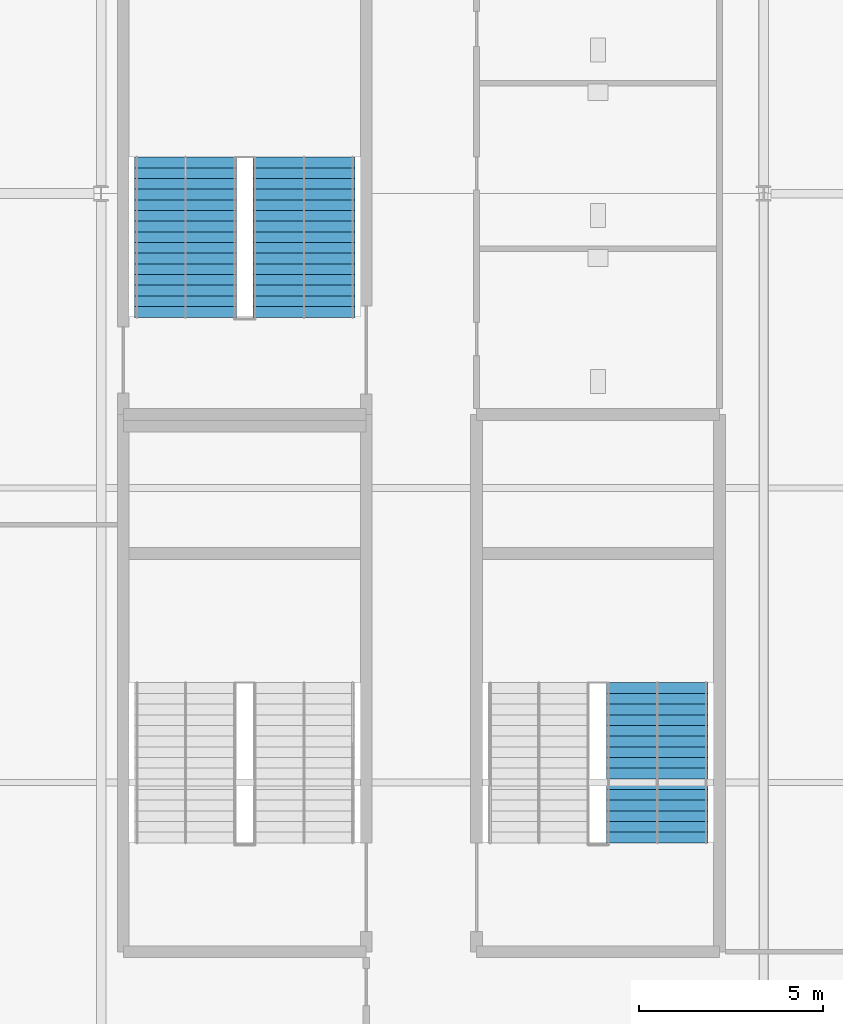
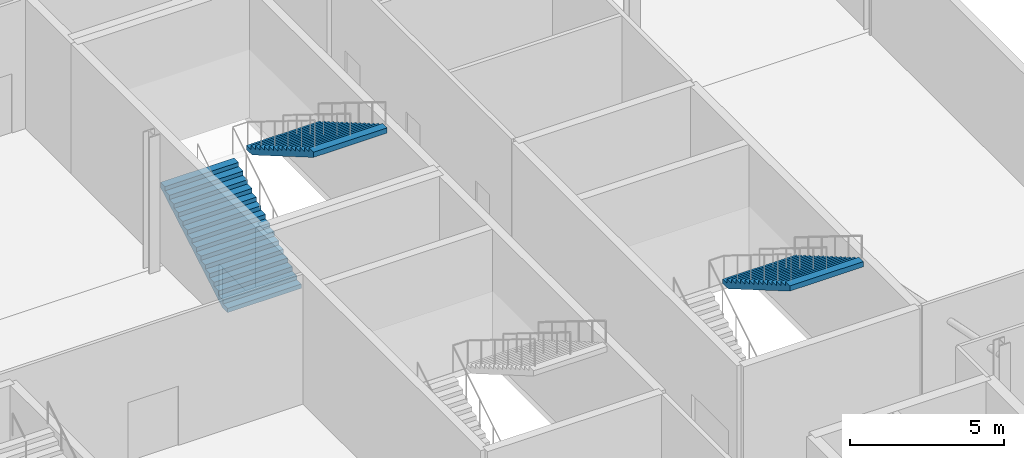
# One storey, part 92 of 111: 3 stair flights, 2 elements without a shape of their own.
"""IFC4 building model written with IfcOpenShell, lengths in metres."""

from ifc_helpers import new_model, si_unit, direction, frame, origin, place, context, subcontext, project, spatial, polygons, material, type_object, element, aggregate, save


model = new_model("IFC4")

# Units and contexts
model_context = context("Model", 3, precision=1e-05, world=origin(), true_north=direction((0.0, 1.0)))
body_context = subcontext(model_context, "Body", "Model", "MODEL_VIEW")
ifc_project = project(units=[si_unit("LENGTHUNIT", "METRE"), si_unit("AREAUNIT", "SQUARE_METRE"), si_unit("VOLUMEUNIT", "CUBIC_METRE"), si_unit("PLANEANGLEUNIT", "RADIAN"), si_unit("MASSUNIT", "GRAM", prefix="KILO")], contexts=[model_context])

# Site, building, storey
site_placement = place(None, origin())
site = spatial("IfcSite", under=ifc_project, at=site_placement, CompositionType="ELEMENT")
building_placement = place(site_placement, origin())
building = spatial("IfcBuilding", under=site, at=building_placement, Name="Kisiwana Market Hall", CompositionType="ELEMENT")
storey_placement = place(building_placement, frame((0.0, 0.0, 11.39990234375)))
storey = spatial("IfcBuildingStorey", under=building, at=storey_placement, Name="L02", CompositionType="ELEMENT", Elevation=11.39990234375)

# Stair, stair flight
ifc_material_1 = material(Name="Concrete C32/40", Category="concrete")
stair_type = type_object("IfcStairType", Name="ST-ESC-5400", PredefinedType="TWO_STRAIGHT_RUN_STAIR", material=ifc_material_1)
stair_1_placement = place(storey_placement, origin())
stair_1 = element("IfcStair", 1, at=stair_1_placement, inside=storey, type_object=stair_type, Name="Escape stair ST-E3-L02", PredefinedType="TWO_STRAIGHT_RUN_STAIR")
ifc_material_2 = material(Name="Concrete C32/40", Category="concrete")
stair_flight_type = type_object("IfcStairFlightType", Name="SF-ESC-5400", PredefinedType="STRAIGHT", material=ifc_material_2)
stair_flight_1_placement = place(storey_placement, frame((186.110107421875, 46.7099609375, 2.7001953125), z_axis=(0.0, 0.0, 1.0), x_axis=(0.0, -1.0, 0.0)))
stair_flight_1 = element("IfcStairFlight", 2, at=stair_flight_1_placement, type_object=stair_flight_type, Name="ST-E3-L02 flight 2", NumberOfRisers=16, NumberOfTreads=15, PredefinedType="STRAIGHT", RiserHeight=0.16875, TreadLength=0.29, context=body_context, shape_type="Tessellation", body=[
    polygons([(0.0, -1.380127, 0.0), (0.0, -0.690125, 0.0), (0.0, -0.000122, 0.0), (0.0, 0.68988, 0.0), (0.0, 1.379883, 0.0), (0.0, -1.380127, 0.168701), (0.0, -0.690125, 0.168701), (0.0, -0.000122, 0.168701), (0.0, 0.68988, 0.168701), (0.0, 1.379883, 0.168701), (0.290039, -1.380127, 0.168701), (0.290039, -0.690125, 0.168701), (0.290039, -0.000122, 0.168701), (0.290039, 0.68988, 0.168701), (0.290039, 1.379883, 0.168701), (0.290039, -1.380127, 0.337402), (0.290039, -0.690125, 0.337402), (0.290039, -0.000122, 0.337402), (0.290039, 0.68988, 0.337402), (0.290039, 1.379883, 0.337402), (0.580078, -1.380127, 0.337402), (0.580078, -0.690125, 0.337402), (0.580078, -0.000122, 0.337402), (0.580078, 0.68988, 0.337402), (0.580078, 1.379883, 0.337402), (0.580078, -1.380127, 0.506348), (0.580078, -0.690125, 0.506348), (0.580078, -0.000122, 0.506348), (0.580078, 0.68988, 0.506348), (0.580078, 1.379883, 0.506348), (0.870117, -1.380127, 0.506348), (0.870117, -0.690125, 0.506348), (0.870117, -0.000122, 0.506348), (0.870117, 0.68988, 0.506348), (0.870117, 1.379883, 0.506348), (0.870117, -1.380127, 0.675049), (0.870117, -0.690125, 0.675049), (0.870117, -0.000122, 0.675049), (0.870117, 0.68988, 0.675049), (0.870117, 1.379883, 0.675049), (1.159912, -1.380127, 0.675049), (1.159912, -0.690125, 0.675049), (1.159912, -0.000122, 0.675049), (1.159912, 0.68988, 0.675049), (1.159912, 1.379883, 0.675049), (1.159912, -1.380127, 0.84375), (1.159912, -0.690125, 0.84375), (1.159912, -0.000122, 0.84375), (1.159912, 0.68988, 0.84375), (1.159912, 1.379883, 0.84375), (1.449951, -1.380127, 0.84375), (1.449951, -0.690125, 0.84375), (1.449951, -0.000122, 0.84375), (1.449951, 0.68988, 0.84375), (1.449951, 1.379883, 0.84375), (1.449951, -1.380127, 1.012451), (1.449951, -0.690125, 1.012451), (1.449951, -0.000122, 1.012451), (1.449951, 0.68988, 1.012451), (1.449951, 1.379883, 1.012451), (1.73999, -1.380127, 1.012451), (1.73999, -0.690125, 1.012451), (1.73999, -0.000122, 1.012451), (1.73999, 0.68988, 1.012451), (1.73999, 1.379883, 1.012451), (1.73999, -1.380127, 1.181152), (1.73999, -0.690125, 1.181152), (1.73999, -0.000122, 1.181152), (1.73999, 0.68988, 1.181152), (1.73999, 1.379883, 1.181152), (2.030029, -1.380127, 1.181152), (2.030029, -0.690125, 1.181152), (2.030029, -0.000122, 1.181152), (2.030029, 0.68988, 1.181152), (2.030029, 1.379883, 1.181152), (2.030029, -1.380127, 1.350098), (2.030029, -0.690125, 1.350098), (2.030029, -0.000122, 1.350098), (2.030029, 0.68988, 1.350098), (2.030029, 1.379883, 1.350098), (2.320068, -1.380127, 1.350098), (2.320068, -0.690125, 1.350098), (2.320068, -0.000122, 1.350098), (2.320068, 0.68988, 1.350098), (2.320068, 1.379883, 1.350098), (2.320068, -1.380127, 1.518799), (2.320068, -0.690125, 1.518799), (2.320068, -0.000122, 1.518799), (2.320068, 0.68988, 1.518799), (2.320068, 1.379883, 1.518799), (2.610107, -1.380127, 1.518799), (2.610107, -0.690125, 1.518799), (2.610107, -0.000122, 1.518799), (2.610107, 0.68988, 1.518799), (2.610107, 1.379883, 1.518799), (2.610107, -1.380127, 1.6875), (2.610107, -0.690125, 1.6875), (2.610107, -0.000122, 1.6875), (2.610107, 0.68988, 1.6875), (2.610107, 1.379883, 1.6875), (2.899902, -1.380127, 1.6875), (2.899902, -0.690125, 1.6875), (2.899902, -0.000122, 1.6875), (2.899902, 0.68988, 1.6875), (2.899902, 1.379883, 1.6875), (2.899902, -1.380127, 1.856201), (2.899902, -0.690125, 1.856201), (2.899902, -0.000122, 1.856201), (2.899902, 0.68988, 1.856201), (2.899902, 1.379883, 1.856201), (3.189941, -1.380127, 1.856201), (3.189941, -0.690125, 1.856201), (3.189941, -0.000122, 1.856201), (3.189941, 0.68988, 1.856201), (3.189941, 1.379883, 1.856201), (3.189941, -1.380127, 2.024902), (3.189941, -0.690125, 2.024902), (3.189941, -0.000122, 2.024902), (3.189941, 0.68988, 2.024902), (3.189941, 1.379883, 2.024902), (3.47998, -1.380127, 2.024902), (3.47998, -0.690125, 2.024902), (3.47998, -0.000122, 2.024902), (3.47998, 0.68988, 2.024902), (3.47998, 1.379883, 2.024902), (3.47998, -1.380127, 2.193848), (3.47998, -0.690125, 2.193848), (3.47998, -0.000122, 2.193848), (3.47998, 0.68988, 2.193848), (3.47998, 1.379883, 2.193848), (3.77002, -1.380127, 2.193848), (3.77002, -0.690125, 2.193848), (3.77002, -0.000122, 2.193848), (3.77002, 0.68988, 2.193848), (3.77002, 1.379883, 2.193848), (3.77002, -1.380127, 2.362549), (3.77002, -0.690125, 2.362549), (3.77002, -0.000122, 2.362549), (3.77002, 0.68988, 2.362549), (3.77002, 1.379883, 2.362549), (4.060059, -1.380127, 2.362549), (4.060059, -0.690125, 2.362549), (4.060059, -0.000122, 2.362549), (4.060059, 0.68988, 2.362549), (4.060059, 1.379883, 2.362549), (4.060059, -1.380127, 2.53125), (4.060059, -0.690125, 2.53125), (4.060059, -0.000122, 2.53125), (4.060059, 0.68988, 2.53125), (4.060059, 1.379883, 2.53125), (4.350098, -1.380127, 2.53125), (4.350098, -0.690125, 2.53125), (4.350098, -0.000122, 2.53125), (4.350098, 0.68988, 2.53125), (4.350098, 1.379883, 2.53125), (4.350098, -1.380127, 2.322998), (4.350098, -0.690125, 2.322998), (4.350098, -0.000122, 2.322998), (4.350098, 0.68988, 2.322998), (4.350098, 1.379883, 2.322998), (0.357666, -1.380127, 0.0), (0.357666, -0.690125, 0.0), (0.357666, -0.000122, 0.0), (0.357666, 0.68988, 0.0), (0.357666, 1.379883, 0.0)], [[[1, 6, 7, 2]], [[2, 7, 8, 3]], [[3, 8, 9, 4]], [[4, 9, 10, 5]], [[6, 11, 12, 7]], [[7, 12, 13, 8]], [[8, 13, 14, 9]], [[9, 14, 15, 10]], [[11, 16, 17, 12]], [[12, 17, 18, 13]], [[13, 18, 19, 14]], [[14, 19, 20, 15]], [[16, 21, 22, 17]], [[17, 22, 23, 18]], [[18, 23, 24, 19]], [[19, 24, 25, 20]], [[21, 26, 27, 22]], [[22, 27, 28, 23]], [[23, 28, 29, 24]], [[24, 29, 30, 25]], [[26, 31, 32, 27]], [[27, 32, 33, 28]], [[28, 33, 34, 29]], [[29, 34, 35, 30]], [[31, 36, 37, 32]], [[32, 37, 38, 33]], [[33, 38, 39, 34]], [[34, 39, 40, 35]], [[36, 41, 42, 37]], [[37, 42, 43, 38]], [[38, 43, 44, 39]], [[39, 44, 45, 40]], [[41, 46, 47, 42]], [[42, 47, 48, 43]], [[43, 48, 49, 44]], [[44, 49, 50, 45]], [[46, 51, 52, 47]], [[47, 52, 53, 48]], [[48, 53, 54, 49]], [[49, 54, 55, 50]], [[51, 56, 57, 52]], [[52, 57, 58, 53]], [[53, 58, 59, 54]], [[54, 59, 60, 55]], [[56, 61, 62, 57]], [[57, 62, 63, 58]], [[58, 63, 64, 59]], [[59, 64, 65, 60]], [[61, 66, 67, 62]], [[62, 67, 68, 63]], [[63, 68, 69, 64]], [[64, 69, 70, 65]], [[66, 71, 72, 67]], [[67, 72, 73, 68]], [[68, 73, 74, 69]], [[69, 74, 75, 70]], [[71, 76, 77, 72]], [[72, 77, 78, 73]], [[73, 78, 79, 74]], [[74, 79, 80, 75]], [[76, 81, 82, 77]], [[77, 82, 83, 78]], [[78, 83, 84, 79]], [[79, 84, 85, 80]], [[81, 86, 87, 82]], [[82, 87, 88, 83]], [[83, 88, 89, 84]], [[84, 89, 90, 85]], [[86, 91, 92, 87]], [[87, 92, 93, 88]], [[88, 93, 94, 89]], [[89, 94, 95, 90]], [[91, 96, 97, 92]], [[92, 97, 98, 93]], [[93, 98, 99, 94]], [[94, 99, 100, 95]], [[96, 101, 102, 97]], [[97, 102, 103, 98]], [[98, 103, 104, 99]], [[99, 104, 105, 100]], [[101, 106, 107, 102]], [[102, 107, 108, 103]], [[103, 108, 109, 104]], [[104, 109, 110, 105]], [[106, 111, 112, 107]], [[107, 112, 113, 108]], [[108, 113, 114, 109]], [[109, 114, 115, 110]], [[111, 116, 117, 112]], [[112, 117, 118, 113]], [[113, 118, 119, 114]], [[114, 119, 120, 115]], [[116, 121, 122, 117]], [[117, 122, 123, 118]], [[118, 123, 124, 119]], [[119, 124, 125, 120]], [[121, 126, 127, 122]], [[122, 127, 128, 123]], [[123, 128, 129, 124]], [[124, 129, 130, 125]], [[126, 131, 132, 127]], [[127, 132, 133, 128]], [[128, 133, 134, 129]], [[129, 134, 135, 130]], [[131, 136, 137, 132]], [[132, 137, 138, 133]], [[133, 138, 139, 134]], [[134, 139, 140, 135]], [[136, 141, 142, 137]], [[137, 142, 143, 138]], [[138, 143, 144, 139]], [[139, 144, 145, 140]], [[141, 146, 147, 142]], [[142, 147, 148, 143]], [[143, 148, 149, 144]], [[144, 149, 150, 145]], [[146, 151, 152, 147]], [[147, 152, 153, 148]], [[148, 153, 154, 149]], [[149, 154, 155, 150]], [[151, 156, 157, 152]], [[152, 157, 158, 153]], [[153, 158, 159, 154]], [[154, 159, 160, 155]], [[156, 161, 162, 157]], [[157, 162, 163, 158]], [[158, 163, 164, 159]], [[159, 164, 165, 160]], [[161, 1, 2, 162]], [[162, 2, 3, 163]], [[163, 3, 4, 164]], [[164, 4, 5, 165]], [[161, 156, 151, 146, 141, 136, 131, 126, 121, 116, 111, 106, 101, 96, 91, 86, 81, 76, 71, 66, 61, 56, 51, 46, 41, 36, 31, 26, 21, 16, 11, 6, 1]], [[5, 10, 15, 20, 25, 30, 35, 40, 45, 50, 55, 60, 65, 70, 75, 80, 85, 90, 95, 100, 105, 110, 115, 120, 125, 130, 135, 140, 145, 150, 155, 160, 165]]], closed=True),
])
aggregate(stair_1, [stair_flight_1])

# Stair, stair flights
stair_2_placement = place(storey_placement, origin())
stair_2 = element("IfcStair", 3, at=stair_2_placement, inside=storey, type_object=stair_type, Name="Escape stair ST-E5-L02", PredefinedType="TWO_STRAIGHT_RUN_STAIR")
stair_flight_2_placement = place(storey_placement, frame((173.2900390625, 56.639892578125, 0.0), z_axis=(0.0, 0.0, 1.0), x_axis=(0.0, 1.0, 0.0)))
stair_flight_2 = element("IfcStairFlight", 4, at=stair_flight_2_placement, type_object=stair_flight_type, Name="ST-E5-L02 flight 1", NumberOfRisers=16, NumberOfTreads=15, PredefinedType="STRAIGHT", RiserHeight=0.16875, TreadLength=0.29, context=body_context, shape_type="Tessellation", body=[
    polygons([(0.0, -1.380127, 0.0), (0.0, -0.690125, 0.0), (0.0, -0.000122, 0.0), (0.0, 0.68988, 0.0), (0.0, 1.379883, 0.0), (0.0, -1.380127, 0.168701), (0.0, -0.690125, 0.168701), (0.0, -0.000122, 0.168701), (0.0, 0.68988, 0.168701), (0.0, 1.379883, 0.168701), (0.290039, -1.380127, 0.168701), (0.290039, -0.690125, 0.168701), (0.290039, -0.000122, 0.168701), (0.290039, 0.68988, 0.168701), (0.290039, 1.379883, 0.168701), (0.290039, -1.380127, 0.337402), (0.290039, -0.690125, 0.337402), (0.290039, -0.000122, 0.337402), (0.290039, 0.68988, 0.337402), (0.290039, 1.379883, 0.337402), (0.580078, -1.380127, 0.337402), (0.580078, -0.690125, 0.337402), (0.580078, -0.000122, 0.337402), (0.580078, 0.68988, 0.337402), (0.580078, 1.379883, 0.337402), (0.580078, -1.380127, 0.506348), (0.580078, -0.690125, 0.506348), (0.580078, -0.000122, 0.506348), (0.580078, 0.68988, 0.506348), (0.580078, 1.379883, 0.506348), (0.870117, -1.380127, 0.506348), (0.870117, -0.690125, 0.506348), (0.870117, -0.000122, 0.506348), (0.870117, 0.68988, 0.506348), (0.870117, 1.379883, 0.506348), (0.870117, -1.380127, 0.675049), (0.870117, -0.690125, 0.675049), (0.870117, -0.000122, 0.675049), (0.870117, 0.68988, 0.675049), (0.870117, 1.379883, 0.675049), (1.159912, -1.380127, 0.675049), (1.159912, -0.690125, 0.675049), (1.159912, -0.000122, 0.675049), (1.159912, 0.68988, 0.675049), (1.159912, 1.379883, 0.675049), (1.159912, -1.380127, 0.84375), (1.159912, -0.690125, 0.84375), (1.159912, -0.000122, 0.84375), (1.159912, 0.68988, 0.84375), (1.159912, 1.379883, 0.84375), (1.449951, -1.380127, 0.84375), (1.449951, -0.690125, 0.84375), (1.449951, -0.000122, 0.84375), (1.449951, 0.68988, 0.84375), (1.449951, 1.379883, 0.84375), (1.449951, -1.380127, 1.012451), (1.449951, -0.690125, 1.012451), (1.449951, -0.000122, 1.012451), (1.449951, 0.68988, 1.012451), (1.449951, 1.379883, 1.012451), (1.73999, -1.380127, 1.012451), (1.73999, -0.690125, 1.012451), (1.73999, -0.000122, 1.012451), (1.73999, 0.68988, 1.012451), (1.73999, 1.379883, 1.012451), (1.73999, -1.380127, 1.181152), (1.73999, -0.690125, 1.181152), (1.73999, -0.000122, 1.181152), (1.73999, 0.68988, 1.181152), (1.73999, 1.379883, 1.181152), (2.030029, -1.380127, 1.181152), (2.030029, -0.690125, 1.181152), (2.030029, -0.000122, 1.181152), (2.030029, 0.68988, 1.181152), (2.030029, 1.379883, 1.181152), (2.030029, -1.380127, 1.350098), (2.030029, -0.690125, 1.350098), (2.030029, -0.000122, 1.350098), (2.030029, 0.68988, 1.350098), (2.030029, 1.379883, 1.350098), (2.320068, -1.380127, 1.350098), (2.320068, -0.690125, 1.350098), (2.320068, -0.000122, 1.350098), (2.320068, 0.68988, 1.350098), (2.320068, 1.379883, 1.350098), (2.320068, -1.380127, 1.518799), (2.320068, -0.690125, 1.518799), (2.320068, -0.000122, 1.518799), (2.320068, 0.68988, 1.518799), (2.320068, 1.379883, 1.518799), (2.610107, -1.380127, 1.518799), (2.610107, -0.690125, 1.518799), (2.610107, -0.000122, 1.518799), (2.610107, 0.68988, 1.518799), (2.610107, 1.379883, 1.518799), (2.610107, -1.380127, 1.6875), (2.610107, -0.690125, 1.6875), (2.610107, -0.000122, 1.6875), (2.610107, 0.68988, 1.6875), (2.610107, 1.379883, 1.6875), (2.899902, -1.380127, 1.6875), (2.899902, -0.690125, 1.6875), (2.899902, -0.000122, 1.6875), (2.899902, 0.68988, 1.6875), (2.899902, 1.379883, 1.6875), (2.899902, -1.380127, 1.856201), (2.899902, -0.690125, 1.856201), (2.899902, -0.000122, 1.856201), (2.899902, 0.68988, 1.856201), (2.899902, 1.379883, 1.856201), (3.189941, -1.380127, 1.856201), (3.189941, -0.690125, 1.856201), (3.189941, -0.000122, 1.856201), (3.189941, 0.68988, 1.856201), (3.189941, 1.379883, 1.856201), (3.189941, -1.380127, 2.024902), (3.189941, -0.690125, 2.024902), (3.189941, -0.000122, 2.024902), (3.189941, 0.68988, 2.024902), (3.189941, 1.379883, 2.024902), (3.47998, -1.380127, 2.024902), (3.47998, -0.690125, 2.024902), (3.47998, -0.000122, 2.024902), (3.47998, 0.68988, 2.024902), (3.47998, 1.379883, 2.024902), (3.47998, -1.380127, 2.193848), (3.47998, -0.690125, 2.193848), (3.47998, -0.000122, 2.193848), (3.47998, 0.68988, 2.193848), (3.47998, 1.379883, 2.193848), (3.77002, -1.380127, 2.193848), (3.77002, -0.690125, 2.193848), (3.77002, -0.000122, 2.193848), (3.77002, 0.68988, 2.193848), (3.77002, 1.379883, 2.193848), (3.77002, -1.380127, 2.362549), (3.77002, -0.690125, 2.362549), (3.77002, -0.000122, 2.362549), (3.77002, 0.68988, 2.362549), (3.77002, 1.379883, 2.362549), (4.060059, -1.380127, 2.362549), (4.060059, -0.690125, 2.362549), (4.060059, -0.000122, 2.362549), (4.060059, 0.68988, 2.362549), (4.060059, 1.379883, 2.362549), (4.060059, -1.380127, 2.53125), (4.060059, -0.690125, 2.53125), (4.060059, -0.000122, 2.53125), (4.060059, 0.68988, 2.53125), (4.060059, 1.379883, 2.53125), (4.350098, -1.380127, 2.53125), (4.350098, -0.690125, 2.53125), (4.350098, -0.000122, 2.53125), (4.350098, 0.68988, 2.53125), (4.350098, 1.379883, 2.53125), (4.350098, -1.380127, 2.322998), (4.350098, -0.690125, 2.322998), (4.350098, -0.000122, 2.322998), (4.350098, 0.68988, 2.322998), (4.350098, 1.379883, 2.322998), (0.357666, -1.380127, 0.0), (0.357666, -0.690125, 0.0), (0.357666, -0.000122, 0.0), (0.357666, 0.68988, 0.0), (0.357666, 1.379883, 0.0)], [[[1, 6, 7, 2]], [[2, 7, 8, 3]], [[3, 8, 9, 4]], [[4, 9, 10, 5]], [[6, 11, 12, 7]], [[7, 12, 13, 8]], [[8, 13, 14, 9]], [[9, 14, 15, 10]], [[11, 16, 17, 12]], [[12, 17, 18, 13]], [[13, 18, 19, 14]], [[14, 19, 20, 15]], [[16, 21, 22, 17]], [[17, 22, 23, 18]], [[18, 23, 24, 19]], [[19, 24, 25, 20]], [[21, 26, 27, 22]], [[22, 27, 28, 23]], [[23, 28, 29, 24]], [[24, 29, 30, 25]], [[26, 31, 32, 27]], [[27, 32, 33, 28]], [[28, 33, 34, 29]], [[29, 34, 35, 30]], [[31, 36, 37, 32]], [[32, 37, 38, 33]], [[33, 38, 39, 34]], [[34, 39, 40, 35]], [[36, 41, 42, 37]], [[37, 42, 43, 38]], [[38, 43, 44, 39]], [[39, 44, 45, 40]], [[41, 46, 47, 42]], [[42, 47, 48, 43]], [[43, 48, 49, 44]], [[44, 49, 50, 45]], [[46, 51, 52, 47]], [[47, 52, 53, 48]], [[48, 53, 54, 49]], [[49, 54, 55, 50]], [[51, 56, 57, 52]], [[52, 57, 58, 53]], [[53, 58, 59, 54]], [[54, 59, 60, 55]], [[56, 61, 62, 57]], [[57, 62, 63, 58]], [[58, 63, 64, 59]], [[59, 64, 65, 60]], [[61, 66, 67, 62]], [[62, 67, 68, 63]], [[63, 68, 69, 64]], [[64, 69, 70, 65]], [[66, 71, 72, 67]], [[67, 72, 73, 68]], [[68, 73, 74, 69]], [[69, 74, 75, 70]], [[71, 76, 77, 72]], [[72, 77, 78, 73]], [[73, 78, 79, 74]], [[74, 79, 80, 75]], [[76, 81, 82, 77]], [[77, 82, 83, 78]], [[78, 83, 84, 79]], [[79, 84, 85, 80]], [[81, 86, 87, 82]], [[82, 87, 88, 83]], [[83, 88, 89, 84]], [[84, 89, 90, 85]], [[86, 91, 92, 87]], [[87, 92, 93, 88]], [[88, 93, 94, 89]], [[89, 94, 95, 90]], [[91, 96, 97, 92]], [[92, 97, 98, 93]], [[93, 98, 99, 94]], [[94, 99, 100, 95]], [[96, 101, 102, 97]], [[97, 102, 103, 98]], [[98, 103, 104, 99]], [[99, 104, 105, 100]], [[101, 106, 107, 102]], [[102, 107, 108, 103]], [[103, 108, 109, 104]], [[104, 109, 110, 105]], [[106, 111, 112, 107]], [[107, 112, 113, 108]], [[108, 113, 114, 109]], [[109, 114, 115, 110]], [[111, 116, 117, 112]], [[112, 117, 118, 113]], [[113, 118, 119, 114]], [[114, 119, 120, 115]], [[116, 121, 122, 117]], [[117, 122, 123, 118]], [[118, 123, 124, 119]], [[119, 124, 125, 120]], [[121, 126, 127, 122]], [[122, 127, 128, 123]], [[123, 128, 129, 124]], [[124, 129, 130, 125]], [[126, 131, 132, 127]], [[127, 132, 133, 128]], [[128, 133, 134, 129]], [[129, 134, 135, 130]], [[131, 136, 137, 132]], [[132, 137, 138, 133]], [[133, 138, 139, 134]], [[134, 139, 140, 135]], [[136, 141, 142, 137]], [[137, 142, 143, 138]], [[138, 143, 144, 139]], [[139, 144, 145, 140]], [[141, 146, 147, 142]], [[142, 147, 148, 143]], [[143, 148, 149, 144]], [[144, 149, 150, 145]], [[146, 151, 152, 147]], [[147, 152, 153, 148]], [[148, 153, 154, 149]], [[149, 154, 155, 150]], [[151, 156, 157, 152]], [[152, 157, 158, 153]], [[153, 158, 159, 154]], [[154, 159, 160, 155]], [[156, 161, 162, 157]], [[157, 162, 163, 158]], [[158, 163, 164, 159]], [[159, 164, 165, 160]], [[161, 1, 2, 162]], [[162, 2, 3, 163]], [[163, 3, 4, 164]], [[164, 4, 5, 165]], [[161, 156, 151, 146, 141, 136, 131, 126, 121, 116, 111, 106, 101, 96, 91, 86, 81, 76, 71, 66, 61, 56, 51, 46, 41, 36, 31, 26, 21, 16, 11, 6, 1]], [[5, 10, 15, 20, 25, 30, 35, 40, 45, 50, 55, 60, 65, 70, 75, 80, 85, 90, 95, 100, 105, 110, 115, 120, 125, 130, 135, 140, 145, 150, 155, 160, 165]]], closed=True),
])
stair_flight_3_placement = place(storey_placement, frame((176.510009765625, 60.989990234375, 2.7001953125), z_axis=(0.0, 0.0, 1.0), x_axis=(0.0, -1.0, 0.0)))
stair_flight_3 = element("IfcStairFlight", 5, at=stair_flight_3_placement, type_object=stair_flight_type, Name="ST-E5-L02 flight 2", NumberOfRisers=16, NumberOfTreads=15, PredefinedType="STRAIGHT", RiserHeight=0.16875, TreadLength=0.29, context=body_context, shape_type="Tessellation", body=[
    polygons([(0.0, -1.380127, 0.0), (0.0, -0.690125, 0.0), (0.0, -0.000122, 0.0), (0.0, 0.68988, 0.0), (0.0, 1.379883, 0.0), (0.0, -1.380127, 0.168701), (0.0, -0.690125, 0.168701), (0.0, -0.000122, 0.168701), (0.0, 0.68988, 0.168701), (0.0, 1.379883, 0.168701), (0.290039, -1.380127, 0.168701), (0.290039, -0.690125, 0.168701), (0.290039, -0.000122, 0.168701), (0.290039, 0.68988, 0.168701), (0.290039, 1.379883, 0.168701), (0.290039, -1.380127, 0.337402), (0.290039, -0.690125, 0.337402), (0.290039, -0.000122, 0.337402), (0.290039, 0.68988, 0.337402), (0.290039, 1.379883, 0.337402), (0.580078, -1.380127, 0.337402), (0.580078, -0.690125, 0.337402), (0.580078, -0.000122, 0.337402), (0.580078, 0.68988, 0.337402), (0.580078, 1.379883, 0.337402), (0.580078, -1.380127, 0.506348), (0.580078, -0.690125, 0.506348), (0.580078, -0.000122, 0.506348), (0.580078, 0.68988, 0.506348), (0.580078, 1.379883, 0.506348), (0.870117, -1.380127, 0.506348), (0.870117, -0.690125, 0.506348), (0.870117, -0.000122, 0.506348), (0.870117, 0.68988, 0.506348), (0.870117, 1.379883, 0.506348), (0.870117, -1.380127, 0.675049), (0.870117, -0.690125, 0.675049), (0.870117, -0.000122, 0.675049), (0.870117, 0.68988, 0.675049), (0.870117, 1.379883, 0.675049), (1.159912, -1.380127, 0.675049), (1.159912, -0.690125, 0.675049), (1.159912, -0.000122, 0.675049), (1.159912, 0.68988, 0.675049), (1.159912, 1.379883, 0.675049), (1.159912, -1.380127, 0.84375), (1.159912, -0.690125, 0.84375), (1.159912, -0.000122, 0.84375), (1.159912, 0.68988, 0.84375), (1.159912, 1.379883, 0.84375), (1.449951, -1.380127, 0.84375), (1.449951, -0.690125, 0.84375), (1.449951, -0.000122, 0.84375), (1.449951, 0.68988, 0.84375), (1.449951, 1.379883, 0.84375), (1.449951, -1.380127, 1.012451), (1.449951, -0.690125, 1.012451), (1.449951, -0.000122, 1.012451), (1.449951, 0.68988, 1.012451), (1.449951, 1.379883, 1.012451), (1.73999, -1.380127, 1.012451), (1.73999, -0.690125, 1.012451), (1.73999, -0.000122, 1.012451), (1.73999, 0.68988, 1.012451), (1.73999, 1.379883, 1.012451), (1.73999, -1.380127, 1.181152), (1.73999, -0.690125, 1.181152), (1.73999, -0.000122, 1.181152), (1.73999, 0.68988, 1.181152), (1.73999, 1.379883, 1.181152), (2.030029, -1.380127, 1.181152), (2.030029, -0.690125, 1.181152), (2.030029, -0.000122, 1.181152), (2.030029, 0.68988, 1.181152), (2.030029, 1.379883, 1.181152), (2.030029, -1.380127, 1.350098), (2.030029, -0.690125, 1.350098), (2.030029, -0.000122, 1.350098), (2.030029, 0.68988, 1.350098), (2.030029, 1.379883, 1.350098), (2.320068, -1.380127, 1.350098), (2.320068, -0.690125, 1.350098), (2.320068, -0.000122, 1.350098), (2.320068, 0.68988, 1.350098), (2.320068, 1.379883, 1.350098), (2.320068, -1.380127, 1.518799), (2.320068, -0.690125, 1.518799), (2.320068, -0.000122, 1.518799), (2.320068, 0.68988, 1.518799), (2.320068, 1.379883, 1.518799), (2.610107, -1.380127, 1.518799), (2.610107, -0.690125, 1.518799), (2.610107, -0.000122, 1.518799), (2.610107, 0.68988, 1.518799), (2.610107, 1.379883, 1.518799), (2.610107, -1.380127, 1.6875), (2.610107, -0.690125, 1.6875), (2.610107, -0.000122, 1.6875), (2.610107, 0.68988, 1.6875), (2.610107, 1.379883, 1.6875), (2.899902, -1.380127, 1.6875), (2.899902, -0.690125, 1.6875), (2.899902, -0.000122, 1.6875), (2.899902, 0.68988, 1.6875), (2.899902, 1.379883, 1.6875), (2.899902, -1.380127, 1.856201), (2.899902, -0.690125, 1.856201), (2.899902, -0.000122, 1.856201), (2.899902, 0.68988, 1.856201), (2.899902, 1.379883, 1.856201), (3.189941, -1.380127, 1.856201), (3.189941, -0.690125, 1.856201), (3.189941, -0.000122, 1.856201), (3.189941, 0.68988, 1.856201), (3.189941, 1.379883, 1.856201), (3.189941, -1.380127, 2.024902), (3.189941, -0.690125, 2.024902), (3.189941, -0.000122, 2.024902), (3.189941, 0.68988, 2.024902), (3.189941, 1.379883, 2.024902), (3.47998, -1.380127, 2.024902), (3.47998, -0.690125, 2.024902), (3.47998, -0.000122, 2.024902), (3.47998, 0.68988, 2.024902), (3.47998, 1.379883, 2.024902), (3.47998, -1.380127, 2.193848), (3.47998, -0.690125, 2.193848), (3.47998, -0.000122, 2.193848), (3.47998, 0.68988, 2.193848), (3.47998, 1.379883, 2.193848), (3.77002, -1.380127, 2.193848), (3.77002, -0.690125, 2.193848), (3.77002, -0.000122, 2.193848), (3.77002, 0.68988, 2.193848), (3.77002, 1.379883, 2.193848), (3.77002, -1.380127, 2.362549), (3.77002, -0.690125, 2.362549), (3.77002, -0.000122, 2.362549), (3.77002, 0.68988, 2.362549), (3.77002, 1.379883, 2.362549), (4.060059, -1.380127, 2.362549), (4.060059, -0.690125, 2.362549), (4.060059, -0.000122, 2.362549), (4.060059, 0.68988, 2.362549), (4.060059, 1.379883, 2.362549), (4.060059, -1.380127, 2.53125), (4.060059, -0.690125, 2.53125), (4.060059, -0.000122, 2.53125), (4.060059, 0.68988, 2.53125), (4.060059, 1.379883, 2.53125), (4.350098, -1.380127, 2.53125), (4.350098, -0.690125, 2.53125), (4.350098, -0.000122, 2.53125), (4.350098, 0.68988, 2.53125), (4.350098, 1.379883, 2.53125), (4.350098, -1.380127, 2.322998), (4.350098, -0.690125, 2.322998), (4.350098, -0.000122, 2.322998), (4.350098, 0.68988, 2.322998), (4.350098, 1.379883, 2.322998), (0.357666, -1.380127, 0.0), (0.357666, -0.690125, 0.0), (0.357666, -0.000122, 0.0), (0.357666, 0.68988, 0.0), (0.357666, 1.379883, 0.0)], [[[1, 6, 7, 2]], [[2, 7, 8, 3]], [[3, 8, 9, 4]], [[4, 9, 10, 5]], [[6, 11, 12, 7]], [[7, 12, 13, 8]], [[8, 13, 14, 9]], [[9, 14, 15, 10]], [[11, 16, 17, 12]], [[12, 17, 18, 13]], [[13, 18, 19, 14]], [[14, 19, 20, 15]], [[16, 21, 22, 17]], [[17, 22, 23, 18]], [[18, 23, 24, 19]], [[19, 24, 25, 20]], [[21, 26, 27, 22]], [[22, 27, 28, 23]], [[23, 28, 29, 24]], [[24, 29, 30, 25]], [[26, 31, 32, 27]], [[27, 32, 33, 28]], [[28, 33, 34, 29]], [[29, 34, 35, 30]], [[31, 36, 37, 32]], [[32, 37, 38, 33]], [[33, 38, 39, 34]], [[34, 39, 40, 35]], [[36, 41, 42, 37]], [[37, 42, 43, 38]], [[38, 43, 44, 39]], [[39, 44, 45, 40]], [[41, 46, 47, 42]], [[42, 47, 48, 43]], [[43, 48, 49, 44]], [[44, 49, 50, 45]], [[46, 51, 52, 47]], [[47, 52, 53, 48]], [[48, 53, 54, 49]], [[49, 54, 55, 50]], [[51, 56, 57, 52]], [[52, 57, 58, 53]], [[53, 58, 59, 54]], [[54, 59, 60, 55]], [[56, 61, 62, 57]], [[57, 62, 63, 58]], [[58, 63, 64, 59]], [[59, 64, 65, 60]], [[61, 66, 67, 62]], [[62, 67, 68, 63]], [[63, 68, 69, 64]], [[64, 69, 70, 65]], [[66, 71, 72, 67]], [[67, 72, 73, 68]], [[68, 73, 74, 69]], [[69, 74, 75, 70]], [[71, 76, 77, 72]], [[72, 77, 78, 73]], [[73, 78, 79, 74]], [[74, 79, 80, 75]], [[76, 81, 82, 77]], [[77, 82, 83, 78]], [[78, 83, 84, 79]], [[79, 84, 85, 80]], [[81, 86, 87, 82]], [[82, 87, 88, 83]], [[83, 88, 89, 84]], [[84, 89, 90, 85]], [[86, 91, 92, 87]], [[87, 92, 93, 88]], [[88, 93, 94, 89]], [[89, 94, 95, 90]], [[91, 96, 97, 92]], [[92, 97, 98, 93]], [[93, 98, 99, 94]], [[94, 99, 100, 95]], [[96, 101, 102, 97]], [[97, 102, 103, 98]], [[98, 103, 104, 99]], [[99, 104, 105, 100]], [[101, 106, 107, 102]], [[102, 107, 108, 103]], [[103, 108, 109, 104]], [[104, 109, 110, 105]], [[106, 111, 112, 107]], [[107, 112, 113, 108]], [[108, 113, 114, 109]], [[109, 114, 115, 110]], [[111, 116, 117, 112]], [[112, 117, 118, 113]], [[113, 118, 119, 114]], [[114, 119, 120, 115]], [[116, 121, 122, 117]], [[117, 122, 123, 118]], [[118, 123, 124, 119]], [[119, 124, 125, 120]], [[121, 126, 127, 122]], [[122, 127, 128, 123]], [[123, 128, 129, 124]], [[124, 129, 130, 125]], [[126, 131, 132, 127]], [[127, 132, 133, 128]], [[128, 133, 134, 129]], [[129, 134, 135, 130]], [[131, 136, 137, 132]], [[132, 137, 138, 133]], [[133, 138, 139, 134]], [[134, 139, 140, 135]], [[136, 141, 142, 137]], [[137, 142, 143, 138]], [[138, 143, 144, 139]], [[139, 144, 145, 140]], [[141, 146, 147, 142]], [[142, 147, 148, 143]], [[143, 148, 149, 144]], [[144, 149, 150, 145]], [[146, 151, 152, 147]], [[147, 152, 153, 148]], [[148, 153, 154, 149]], [[149, 154, 155, 150]], [[151, 156, 157, 152]], [[152, 157, 158, 153]], [[153, 158, 159, 154]], [[154, 159, 160, 155]], [[156, 161, 162, 157]], [[157, 162, 163, 158]], [[158, 163, 164, 159]], [[159, 164, 165, 160]], [[161, 1, 2, 162]], [[162, 2, 3, 163]], [[163, 3, 4, 164]], [[164, 4, 5, 165]], [[161, 156, 151, 146, 141, 136, 131, 126, 121, 116, 111, 106, 101, 96, 91, 86, 81, 76, 71, 66, 61, 56, 51, 46, 41, 36, 31, 26, 21, 16, 11, 6, 1]], [[5, 10, 15, 20, 25, 30, 35, 40, 45, 50, 55, 60, 65, 70, 75, 80, 85, 90, 95, 100, 105, 110, 115, 120, 125, 130, 135, 140, 145, 150, 155, 160, 165]]], closed=True),
])
aggregate(stair_2, [stair_flight_2, stair_flight_3])

save(model, "model.ifc")
